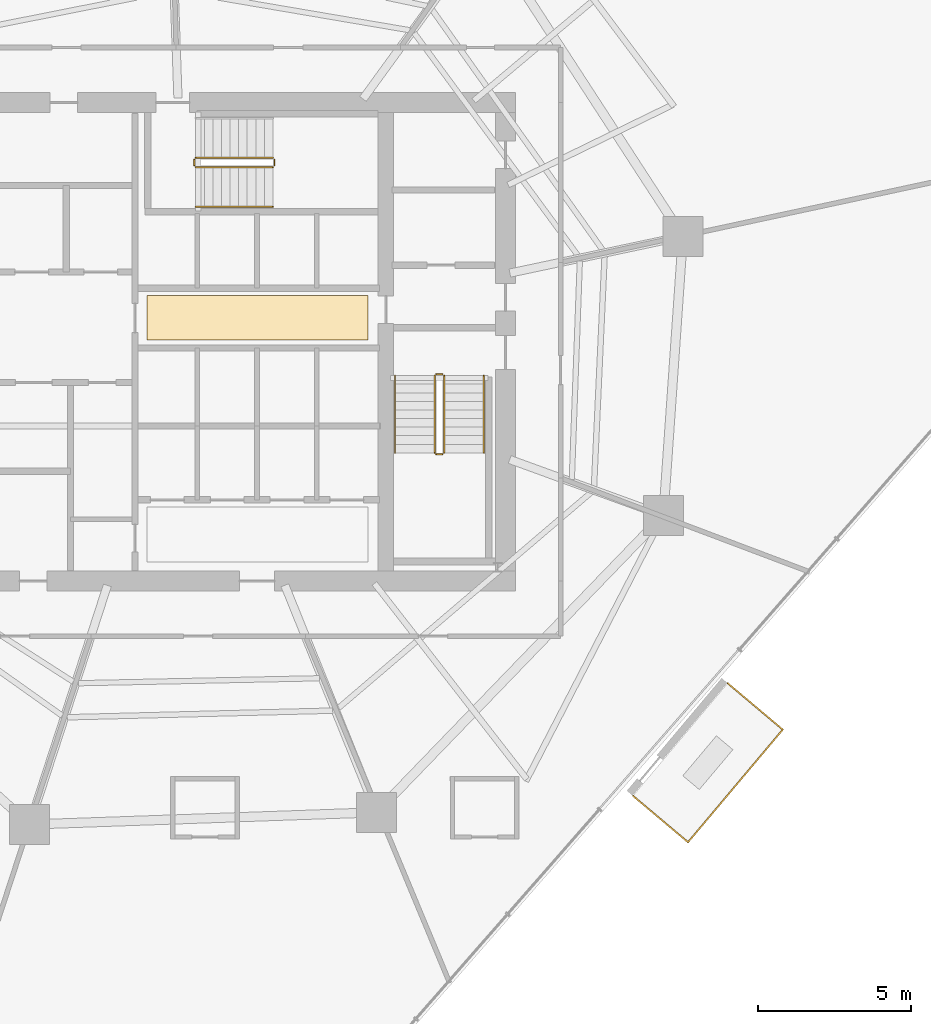
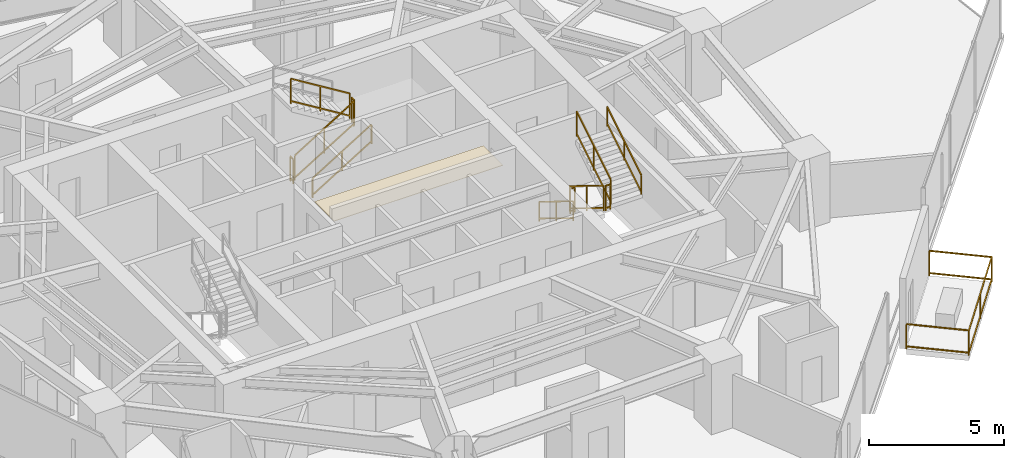
# One storey, part 32 of 33: 12 railings, 1 covering.
"""IFC4 building model written with IfcOpenShell, lengths in metres."""

from ifc_helpers import new_model, si_unit, direction, frame, origin, origin_2d, place, context, subcontext, project, spatial, rectangle, extrude, material, layer, layer_set, type_object, element, save


model = new_model("IFC4")

# Units and contexts
model_context = context("Model", 3, precision=1e-05, world=origin(), true_north=direction((0.0, 1.0)))
body_context = subcontext(model_context, "Body", "Model", "MODEL_VIEW")
ifc_project = project(units=[si_unit("LENGTHUNIT", "METRE"), si_unit("AREAUNIT", "SQUARE_METRE"), si_unit("VOLUMEUNIT", "CUBIC_METRE"), si_unit("PLANEANGLEUNIT", "RADIAN"), si_unit("MASSUNIT", "GRAM", prefix="KILO")], contexts=[model_context])

# Site, building, storey
site_placement = place(None, origin())
site = spatial("IfcSite", under=ifc_project, at=site_placement, CompositionType="ELEMENT")
building_placement = place(site_placement, origin())
building = spatial("IfcBuilding", under=site, at=building_placement, Name="Qarnah Convention Tower", CompositionType="ELEMENT")
storey_placement = place(building_placement, frame((0.0, 0.0, 30.449951171875)))
storey = spatial("IfcBuildingStorey", under=building, at=storey_placement, Name="L06", CompositionType="ELEMENT", Elevation=30.449951171875)

# Covering
ifc_material_1 = material(Name="Mineral fibre acoustic ceiling")
ifc_layer = layer(ifc_material_1, 0.02001953125)
ifc_layer_set = layer_set([ifc_layer], Name="Mineral fibre acoustic ceiling")
covering_type = type_object("IfcCoveringType", Name="COV-CEIL-20", PredefinedType="CEILING", material=ifc_layer_set)
covering_placement = place(storey_placement, frame((39.52001953125, 27.179931640625, 2.2900390625), z_axis=(0.0, 0.0, 1.0), x_axis=(1.0, 0.0, 0.0)))
element("IfcCovering", 1, at=covering_placement, inside=storey, type_object=covering_type, Name="L06 lift lobby acoustic ceiling", PredefinedType="CEILING", context=body_context, shape_type="SweptSolid", body=[
    extrude(rectangle(XDim=7.199951171875, YDim=1.449951171875, at=origin_2d()), origin(), (0.0, 0.0, 1.0), 0.02001953125),
])

# Railings
ifc_material_2 = material(Name="Black anodised aluminium", Category="aluminium")
railing_type_1 = type_object("IfcRailingType", Name="RL-EXT-GUARD-1150", PredefinedType="GUARDRAIL", material=ifc_material_2)
railing_1_placement = place(storey_placement, frame((54.84912109375, 15.26806640625, 0.0)))
element("IfcRailing", 2, at=railing_1_placement, inside=storey, type_object=railing_type_1, Name="L06 balcony safety guard VN-L06", PredefinedType="GUARDRAIL", context=body_context, shape_type="SweptSolid", body=[
    extrude(rectangle(XDim=0.048095703125, YDim=0.048095703125, at=origin_2d()), frame((0.0, 0.0, 1.1259765625), z_axis=(0.765078211659, -0.643937365001, 0.0), x_axis=(0.643937365001, 0.765078211659, 0.0)), (0.0, 0.0, 1.0), 2.349853515625),
    extrude(rectangle(XDim=0.048095703125, YDim=0.048095703125, at=origin_2d()), frame((0.0, 0.0, 0.1201171875), z_axis=(0.765078211659, -0.643937365001, 0.0), x_axis=(0.643937365001, 0.765078211659, 0.0)), (0.0, 0.0, 1.0), 2.349853515625),
    extrude(rectangle(XDim=0.048095703125, YDim=0.048095703125, at=origin_2d()), frame((1.7978515625, -1.51318359375, 1.1259765625), z_axis=(-0.643789522253, -0.765202620903, 0.0), x_axis=(0.765202620903, -0.643789522253, 0.0)), (0.0, 0.0, 1.0), 4.7998046875),
    extrude(rectangle(XDim=0.048095703125, YDim=0.048095703125, at=origin_2d()), frame((1.7978515625, -1.51318359375, 0.1201171875), z_axis=(-0.643789522253, -0.765202620903, 0.0), x_axis=(0.765202620903, -0.643789522253, 0.0)), (0.0, 0.0, 1.0), 4.7998046875),
    extrude(rectangle(XDim=0.048095703125, YDim=0.048095703125, at=origin_2d()), frame((-1.292236328125, -5.18603515625, 1.1259765625), z_axis=(-0.765129397526, 0.643876544876, 0.0), x_axis=(-0.643876544876, -0.765129397526, 0.0)), (0.0, 0.0, 1.0), 2.349853515625),
    extrude(rectangle(XDim=0.048095703125, YDim=0.048095703125, at=origin_2d()), frame((-1.292236328125, -5.18603515625, 0.1201171875), z_axis=(-0.765129397526, 0.643876544876, 0.0), x_axis=(-0.643876544876, -0.765129397526, 0.0)), (0.0, 0.0, 1.0), 2.349853515625),
    extrude(rectangle(XDim=0.0419921875, YDim=0.0419921875, at=origin_2d()), origin(), (0.0, 0.0, 1.0), 1.101806640625),
    extrude(rectangle(XDim=0.0419921875, YDim=0.0419921875, at=origin_2d()), frame((1.7978515625, -1.51318359375, 0.0)), (0.0, 0.0, 1.0), 1.101806640625),
    extrude(rectangle(XDim=0.0419921875, YDim=0.0419921875, at=origin_2d()), frame((0.2529296875, -3.349609375, 0.0)), (0.0, 0.0, 1.0), 1.101806640625),
    extrude(rectangle(XDim=0.0419921875, YDim=0.0419921875, at=origin_2d()), frame((-1.292236328125, -5.18603515625, 0.0)), (0.0, 0.0, 1.0), 1.101806640625),
    extrude(rectangle(XDim=0.0419921875, YDim=0.0419921875, at=origin_2d()), frame((-3.090087890625, -3.673095703125, 0.0)), (0.0, 0.0, 1.0), 1.101806640625),
])
ifc_material_3 = material(Name="Structural steel S355JR", Category="steel")
railing_type_2 = type_object("IfcRailingType", Name="RL-STAIR-GUARD-1150", PredefinedType="GUARDRAIL", material=ifc_material_3)
railing_2_placement = place(storey_placement, frame((45.300048828125, 25.300048828125, 0.172607421875)))
element("IfcRailing", 3, at=railing_2_placement, inside=storey, type_object=railing_type_2, Name="L06 ST-2 stair guard 1", PredefinedType="GUARDRAIL", context=body_context, shape_type="SweptSolid", body=[
    extrude(rectangle(XDim=0.048095703125, YDim=0.048095703125, at=origin_2d()), frame((0.0, 0.0, 1.1259765625), z_axis=(0.0, -0.851400495292, 0.524516154772), x_axis=(1.0, 0.0, 0.0)), (0.0, 0.0, 1.0), 2.9599609375),
    extrude(rectangle(XDim=0.048095703125, YDim=0.048095703125, at=origin_2d()), frame((0.0, 0.0, 0.1201171875), z_axis=(0.0, -0.851400495292, 0.524516154772), x_axis=(1.0, 0.0, 0.0)), (0.0, 0.0, 1.0), 2.9599609375),
    extrude(rectangle(XDim=0.0419921875, YDim=0.0419921875, at=origin_2d()), origin(), (0.0, 0.0, 1.0), 1.101806640625),
    extrude(rectangle(XDim=0.0419921875, YDim=0.0419921875, at=origin_2d()), frame((0.0, -1.260009765625, 0.7763671875)), (0.0, 0.0, 1.0), 1.101806640625),
    extrude(rectangle(XDim=0.0419921875, YDim=0.0419921875, at=origin_2d()), frame((0.0, -2.52001953125, 1.552490234375)), (0.0, 0.0, 1.0), 1.101806640625),
])
railing_3_placement = place(storey_placement, frame((45.35009765625, 22.72998046875, 1.72509765625)))
element("IfcRailing", 4, at=railing_3_placement, inside=storey, type_object=railing_type_2, Name="L06 ST-2 stair guard 2", PredefinedType="GUARDRAIL", context=body_context, shape_type="SweptSolid", body=[
    extrude(rectangle(XDim=0.048095703125, YDim=0.048095703125, at=origin_2d()), frame((0.0, 0.0, 1.1259765625), z_axis=(1.0, 0.0, 0.0), x_axis=(0.0, 1.0, 0.0)), (0.0, 0.0, 1.0), 0.199951171875),
    extrude(rectangle(XDim=0.048095703125, YDim=0.048095703125, at=origin_2d()), frame((0.0, 0.0, 0.1201171875), z_axis=(1.0, 0.0, 0.0), x_axis=(0.0, 1.0, 0.0)), (0.0, 0.0, 1.0), 0.199951171875),
    extrude(rectangle(XDim=0.0419921875, YDim=0.0419921875, at=origin_2d()), origin(), (0.0, 0.0, 1.0), 1.101806640625),
    extrude(rectangle(XDim=0.0419921875, YDim=0.0419921875, at=origin_2d()), frame((0.199951171875, 0.0, 0.0)), (0.0, 0.0, 1.0), 1.101806640625),
])
railing_4_placement = place(storey_placement, frame((45.60009765625, 22.780029296875, 1.8974609375)))
element("IfcRailing", 5, at=railing_4_placement, inside=storey, type_object=railing_type_2, Name="L06 ST-2 stair guard 3", PredefinedType="GUARDRAIL", context=body_context, shape_type="SweptSolid", body=[
    extrude(rectangle(XDim=0.048095703125, YDim=0.048095703125, at=origin_2d()), frame((0.0, 0.0, 1.1259765625), z_axis=(0.0, 0.851400495292, 0.524516154772), x_axis=(-1.0, 0.0, 0.0)), (0.0, 0.0, 1.0), 2.9599609375),
    extrude(rectangle(XDim=0.048095703125, YDim=0.048095703125, at=origin_2d()), frame((0.0, 0.0, 0.1201171875), z_axis=(0.0, 0.851400495292, 0.524516154772), x_axis=(-1.0, 0.0, 0.0)), (0.0, 0.0, 1.0), 2.9599609375),
    extrude(rectangle(XDim=0.0419921875, YDim=0.0419921875, at=origin_2d()), origin(), (0.0, 0.0, 1.0), 1.101806640625),
    extrude(rectangle(XDim=0.0419921875, YDim=0.0419921875, at=origin_2d()), frame((0.0, 1.260009765625, 0.7763671875)), (0.0, 0.0, 1.0), 1.101806640625),
    extrude(rectangle(XDim=0.0419921875, YDim=0.0419921875, at=origin_2d()), frame((0.0, 2.52001953125, 1.552490234375)), (0.0, 0.0, 1.0), 1.101806640625),
])
railing_5_placement = place(storey_placement, frame((45.35009765625, 25.35009765625, 0.0)))
element("IfcRailing", 6, at=railing_5_placement, inside=storey, type_object=railing_type_2, Name="L06 ST-2 stair guard 4", PredefinedType="GUARDRAIL", context=body_context, shape_type="SweptSolid", body=[
    extrude(rectangle(XDim=0.048095703125, YDim=0.048095703125, at=origin_2d()), frame((0.0, 0.0, 1.1259765625), z_axis=(1.0, 0.0, 0.0), x_axis=(0.0, 1.0, 0.0)), (0.0, 0.0, 1.0), 0.199951171875),
    extrude(rectangle(XDim=0.048095703125, YDim=0.048095703125, at=origin_2d()), frame((0.0, 0.0, 0.1201171875), z_axis=(1.0, 0.0, 0.0), x_axis=(0.0, 1.0, 0.0)), (0.0, 0.0, 1.0), 0.199951171875),
    extrude(rectangle(XDim=0.0419921875, YDim=0.0419921875, at=origin_2d()), origin(), (0.0, 0.0, 1.0), 1.101806640625),
    extrude(rectangle(XDim=0.0419921875, YDim=0.0419921875, at=origin_2d()), frame((0.199951171875, 0.0, 0.0)), (0.0, 0.0, 1.0), 1.101806640625),
])
railing_6_placement = place(storey_placement, frame((37.5, 32.10009765625, 0.172607421875)))
element("IfcRailing", 7, at=railing_6_placement, inside=storey, type_object=railing_type_2, Name="L06 ST-3 stair guard 1", PredefinedType="GUARDRAIL", context=body_context, shape_type="SweptSolid", body=[
    extrude(rectangle(XDim=0.048095703125, YDim=0.048095703125, at=origin_2d()), frame((0.0, 0.0, 1.1259765625), z_axis=(0.851400495292, 0.0, 0.524516154772), x_axis=(0.0, 1.0, 0.0)), (0.0, 0.0, 1.0), 2.9599609375),
    extrude(rectangle(XDim=0.048095703125, YDim=0.048095703125, at=origin_2d()), frame((0.0, 0.0, 0.1201171875), z_axis=(0.851400495292, 0.0, 0.524516154772), x_axis=(0.0, 1.0, 0.0)), (0.0, 0.0, 1.0), 2.9599609375),
    extrude(rectangle(XDim=0.0419921875, YDim=0.0419921875, at=origin_2d()), origin(), (0.0, 0.0, 1.0), 1.101806640625),
    extrude(rectangle(XDim=0.0419921875, YDim=0.0419921875, at=origin_2d()), frame((1.260009765625, 0.0, 0.7763671875)), (0.0, 0.0, 1.0), 1.101806640625),
    extrude(rectangle(XDim=0.0419921875, YDim=0.0419921875, at=origin_2d()), frame((2.52001953125, 0.0, 1.552490234375)), (0.0, 0.0, 1.0), 1.101806640625),
])
railing_7_placement = place(storey_placement, frame((40.070068359375, 32.14990234375, 1.72509765625)))
element("IfcRailing", 8, at=railing_7_placement, inside=storey, type_object=railing_type_2, Name="L06 ST-3 stair guard 2", PredefinedType="GUARDRAIL", context=body_context, shape_type="SweptSolid", body=[
    extrude(rectangle(XDim=0.048095703125, YDim=0.048095703125, at=origin_2d()), frame((0.0, 0.0, 1.1259765625), z_axis=(0.0, 1.0, 0.0), x_axis=(-1.0, 0.0, 0.0)), (0.0, 0.0, 1.0), 0.2001953125),
    extrude(rectangle(XDim=0.048095703125, YDim=0.048095703125, at=origin_2d()), frame((0.0, 0.0, 0.1201171875), z_axis=(0.0, 1.0, 0.0), x_axis=(-1.0, 0.0, 0.0)), (0.0, 0.0, 1.0), 0.2001953125),
    extrude(rectangle(XDim=0.0419921875, YDim=0.0419921875, at=origin_2d()), origin(), (0.0, 0.0, 1.0), 1.101806640625),
    extrude(rectangle(XDim=0.0419921875, YDim=0.0419921875, at=origin_2d()), frame((0.0, 0.2001953125, 0.0)), (0.0, 0.0, 1.0), 1.101806640625),
])
railing_8_placement = place(storey_placement, frame((40.02001953125, 32.39990234375, 1.8974609375)))
element("IfcRailing", 9, at=railing_8_placement, inside=storey, type_object=railing_type_2, Name="L06 ST-3 stair guard 3", PredefinedType="GUARDRAIL", context=body_context, shape_type="SweptSolid", body=[
    extrude(rectangle(XDim=0.048095703125, YDim=0.048095703125, at=origin_2d()), frame((0.0, 0.0, 1.1259765625), z_axis=(-0.851400495292, 0.0, 0.524516154772), x_axis=(0.0, -1.0, 0.0)), (0.0, 0.0, 1.0), 2.9599609375),
    extrude(rectangle(XDim=0.048095703125, YDim=0.048095703125, at=origin_2d()), frame((0.0, 0.0, 0.1201171875), z_axis=(-0.851400495292, 0.0, 0.524516154772), x_axis=(0.0, -1.0, 0.0)), (0.0, 0.0, 1.0), 2.9599609375),
    extrude(rectangle(XDim=0.0419921875, YDim=0.0419921875, at=origin_2d()), origin(), (0.0, 0.0, 1.0), 1.101806640625),
    extrude(rectangle(XDim=0.0419921875, YDim=0.0419921875, at=origin_2d()), frame((-1.260009765625, 0.0, 0.7763671875)), (0.0, 0.0, 1.0), 1.101806640625),
    extrude(rectangle(XDim=0.0419921875, YDim=0.0419921875, at=origin_2d()), frame((-2.52001953125, 0.0, 1.552490234375)), (0.0, 0.0, 1.0), 1.101806640625),
])
railing_9_placement = place(storey_placement, frame((37.449951171875, 32.14990234375, 0.0)))
element("IfcRailing", 10, at=railing_9_placement, inside=storey, type_object=railing_type_2, Name="L06 ST-3 stair guard 4", PredefinedType="GUARDRAIL", context=body_context, shape_type="SweptSolid", body=[
    extrude(rectangle(XDim=0.048095703125, YDim=0.048095703125, at=origin_2d()), frame((0.0, 0.0, 1.1259765625), z_axis=(0.0, 1.0, 0.0), x_axis=(-1.0, 0.0, 0.0)), (0.0, 0.0, 1.0), 0.2001953125),
    extrude(rectangle(XDim=0.048095703125, YDim=0.048095703125, at=origin_2d()), frame((0.0, 0.0, 0.1201171875), z_axis=(0.0, 1.0, 0.0), x_axis=(-1.0, 0.0, 0.0)), (0.0, 0.0, 1.0), 0.2001953125),
    extrude(rectangle(XDim=0.0419921875, YDim=0.0419921875, at=origin_2d()), origin(), (0.0, 0.0, 1.0), 1.101806640625),
    extrude(rectangle(XDim=0.0419921875, YDim=0.0419921875, at=origin_2d()), frame((0.0, 0.2001953125, 0.0)), (0.0, 0.0, 1.0), 1.101806640625),
])
railing_type_3 = type_object("IfcRailingType", Name="RL-STAIR-HAND-900", PredefinedType="HANDRAIL", material=ifc_material_3)
railing_10_placement = place(storey_placement, frame((44.0, 25.300048828125, 0.172607421875)))
element("IfcRailing", 11, at=railing_10_placement, inside=storey, type_object=railing_type_3, Name="L06 ST-2 stair handrail 1", PredefinedType="HANDRAIL", context=body_context, shape_type="SweptSolid", body=[
    extrude(rectangle(XDim=0.048095703125, YDim=0.048095703125, at=origin_2d()), frame((0.0, 0.0, 0.8759765625), z_axis=(0.0, -0.851400495292, 0.524516154772), x_axis=(1.0, 0.0, 0.0)), (0.0, 0.0, 1.0), 2.9599609375),
    extrude(rectangle(XDim=0.048095703125, YDim=0.048095703125, at=origin_2d()), frame((0.0, 0.0, 0.1201171875), z_axis=(0.0, -0.851400495292, 0.524516154772), x_axis=(1.0, 0.0, 0.0)), (0.0, 0.0, 1.0), 2.9599609375),
    extrude(rectangle(XDim=0.0419921875, YDim=0.0419921875, at=origin_2d()), origin(), (0.0, 0.0, 1.0), 0.851806640625),
    extrude(rectangle(XDim=0.0419921875, YDim=0.0419921875, at=origin_2d()), frame((0.0, -1.260009765625, 0.7763671875)), (0.0, 0.0, 1.0), 0.851806640625),
    extrude(rectangle(XDim=0.0419921875, YDim=0.0419921875, at=origin_2d()), frame((0.0, -2.52001953125, 1.552490234375)), (0.0, 0.0, 1.0), 0.851806640625),
])
railing_11_placement = place(storey_placement, frame((46.89990234375, 22.780029296875, 1.8974609375)))
element("IfcRailing", 12, at=railing_11_placement, inside=storey, type_object=railing_type_3, Name="L06 ST-2 stair handrail 2", PredefinedType="HANDRAIL", context=body_context, shape_type="SweptSolid", body=[
    extrude(rectangle(XDim=0.048095703125, YDim=0.048095703125, at=origin_2d()), frame((0.0, 0.0, 0.8759765625), z_axis=(0.0, 0.851400495292, 0.524516154772), x_axis=(-1.0, 0.0, 0.0)), (0.0, 0.0, 1.0), 2.9599609375),
    extrude(rectangle(XDim=0.048095703125, YDim=0.048095703125, at=origin_2d()), frame((0.0, 0.0, 0.1201171875), z_axis=(0.0, 0.851400495292, 0.524516154772), x_axis=(-1.0, 0.0, 0.0)), (0.0, 0.0, 1.0), 2.9599609375),
    extrude(rectangle(XDim=0.0419921875, YDim=0.0419921875, at=origin_2d()), origin(), (0.0, 0.0, 1.0), 0.851806640625),
    extrude(rectangle(XDim=0.0419921875, YDim=0.0419921875, at=origin_2d()), frame((0.0, 1.260009765625, 0.7763671875)), (0.0, 0.0, 1.0), 0.851806640625),
    extrude(rectangle(XDim=0.0419921875, YDim=0.0419921875, at=origin_2d()), frame((0.0, 2.52001953125, 1.552490234375)), (0.0, 0.0, 1.0), 0.851806640625),
])
railing_12_placement = place(storey_placement, frame((37.5, 30.800048828125, 0.172607421875)))
element("IfcRailing", 13, at=railing_12_placement, inside=storey, type_object=railing_type_3, Name="L06 ST-3 stair handrail 1", PredefinedType="HANDRAIL", context=body_context, shape_type="SweptSolid", body=[
    extrude(rectangle(XDim=0.048095703125, YDim=0.048095703125, at=origin_2d()), frame((0.0, 0.0, 0.8759765625), z_axis=(0.851400495292, 0.0, 0.524516154772), x_axis=(0.0, 1.0, 0.0)), (0.0, 0.0, 1.0), 2.9599609375),
    extrude(rectangle(XDim=0.048095703125, YDim=0.048095703125, at=origin_2d()), frame((0.0, 0.0, 0.1201171875), z_axis=(0.851400495292, 0.0, 0.524516154772), x_axis=(0.0, 1.0, 0.0)), (0.0, 0.0, 1.0), 2.9599609375),
    extrude(rectangle(XDim=0.0419921875, YDim=0.0419921875, at=origin_2d()), origin(), (0.0, 0.0, 1.0), 0.851806640625),
    extrude(rectangle(XDim=0.0419921875, YDim=0.0419921875, at=origin_2d()), frame((1.260009765625, 0.0, 0.7763671875)), (0.0, 0.0, 1.0), 0.851806640625),
    extrude(rectangle(XDim=0.0419921875, YDim=0.0419921875, at=origin_2d()), frame((2.52001953125, 0.0, 1.552490234375)), (0.0, 0.0, 1.0), 0.851806640625),
])

save(model, "model.ifc")
